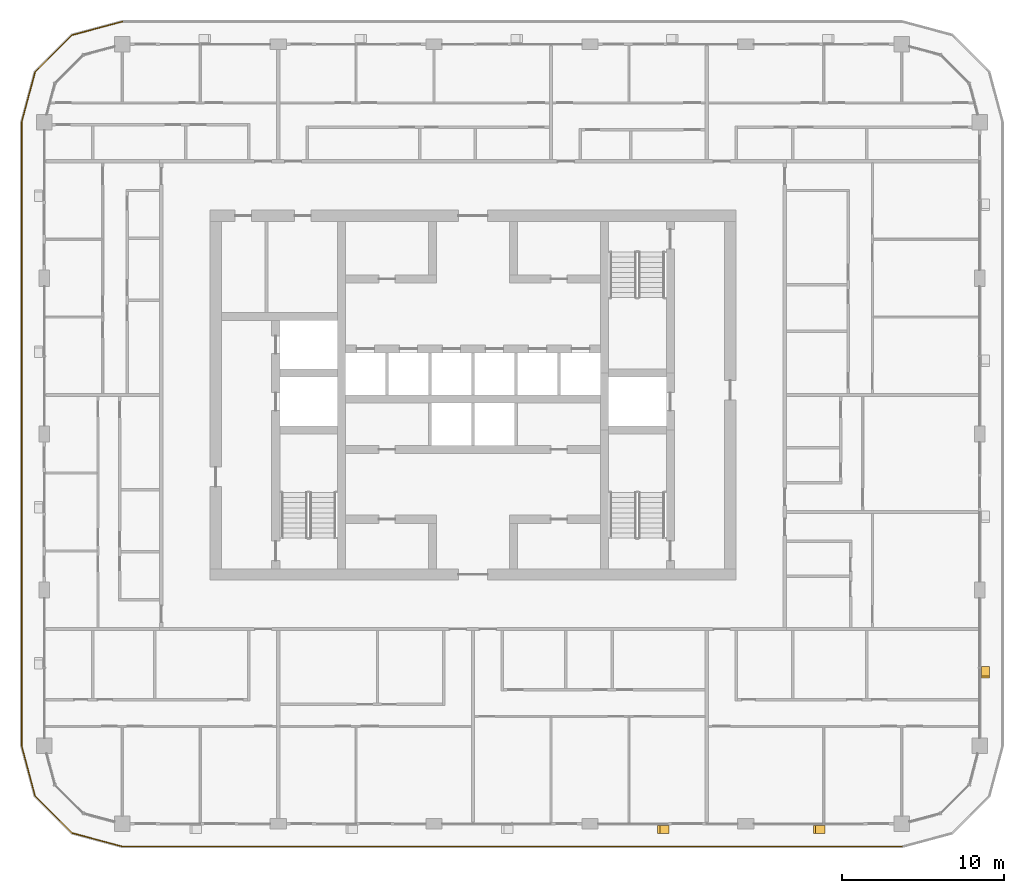
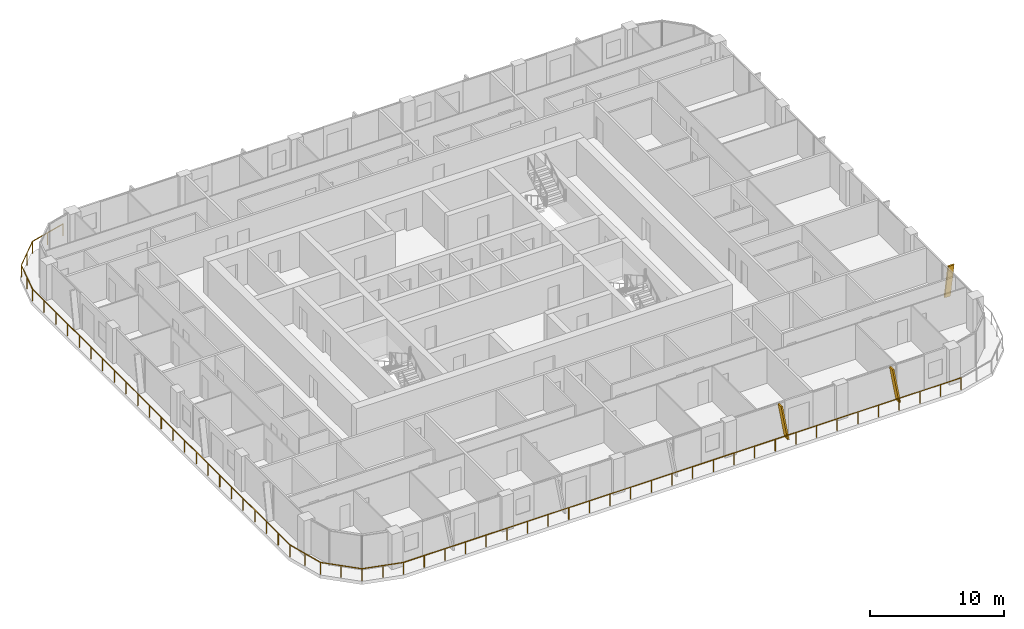
# One storey, part 18 of 21: 3 shading devices, 1 railing.
"""IFC4 building model written with IfcOpenShell, lengths in metres."""

from ifc_helpers import new_model, si_unit, direction, frame, origin, origin_2d, place, context, subcontext, project, spatial, polyline, circle, outline, extrude, material, type_object, element, save


model = new_model("IFC4")

# Units and contexts
model_context = context("Model", 3, precision=1e-05, world=origin(), true_north=direction((0.0, 1.0)))
body_context = subcontext(model_context, "Body", "Model", "MODEL_VIEW")
ifc_project = project(units=[si_unit("LENGTHUNIT", "METRE"), si_unit("AREAUNIT", "SQUARE_METRE"), si_unit("VOLUMEUNIT", "CUBIC_METRE"), si_unit("PLANEANGLEUNIT", "RADIAN"), si_unit("MASSUNIT", "GRAM", prefix="KILO")], contexts=[model_context])

# Site, building, storey
site_placement = place(None, origin())
site = spatial("IfcSite", under=ifc_project, at=site_placement, CompositionType="ELEMENT")
building_placement = place(site_placement, origin())
building = spatial("IfcBuilding", under=site, at=building_placement, Name="Madar Terraces", CompositionType="ELEMENT")
storey_placement = place(building_placement, frame((0.0, 0.0, 196.39990234375)))
storey = spatial("IfcBuildingStorey", under=building, at=storey_placement, Name="L51", CompositionType="ELEMENT", Elevation=196.39990234375)

# Railing
ifc_material_1 = material(Name="Glass, safety glazing, with stainless steel posts", Category="steel")
railing_type = type_object("IfcRailingType", Name="Balcony glass guard 1100", PredefinedType="GUARDRAIL", material=ifc_material_1)
railing_placement = place(storey_placement, frame((9.60009765625, 49.39990234375, 0.0)))
element("IfcRailing", 1, at=railing_placement, inside=storey, type_object=railing_type, Name="Balcony guard", PredefinedType="GUARDRAIL", context=body_context, shape_type="SweptSolid", body=[
    extrude(circle(Radius=0.02392578125, at=origin_2d()), frame((0.0, 0.0, 1.076171875), z_axis=(-0.9659337912, -0.258789317819, 0.0), x_axis=(0.258789317819, -0.9659337912, 0.0)), (0.0, 0.0, 1.0), 3.20947265625),
    extrude(circle(Radius=0.02392578125, at=origin_2d()), frame((-3.10009765625, -0.83056640625, 1.076171875), z_axis=(-0.707106781187, -0.707106781187, 0.0), x_axis=(0.707106781187, -0.707106781187, 0.0)), (0.0, 0.0, 1.0), 3.209228515625),
    extrude(circle(Radius=0.02392578125, at=origin_2d()), frame((-5.369384765625, -3.099853515625, 1.076171875), z_axis=(-0.258860290944, -0.965914773555, 0.0), x_axis=(0.965914773555, -0.258860290944, 0.0)), (0.0, 0.0, 1.0), 3.20947265625),
    extrude(circle(Radius=0.02392578125, at=origin_2d()), frame((-6.2001953125, -6.199951171875, 1.076171875), z_axis=(0.0, -1.0, 0.0), x_axis=(1.0, 0.0, 0.0)), (0.0, 0.0, 1.0), 38.39990234375),
    extrude(circle(Radius=0.02392578125, at=origin_2d()), frame((-6.2001953125, -44.599853515625, 1.076171875), z_axis=(0.258860290944, -0.965914773555, 0.0), x_axis=(0.965914773555, 0.258860290944, 0.0)), (0.0, 0.0, 1.0), 3.20947265625),
    extrude(circle(Radius=0.02392578125, at=origin_2d()), frame((-5.369384765625, -47.699951171875, 1.076171875), z_axis=(0.707106781187, -0.707106781187, 0.0), x_axis=(0.707106781187, 0.707106781187, 0.0)), (0.0, 0.0, 1.0), 3.209228515625),
    extrude(circle(Radius=0.02392578125, at=origin_2d()), frame((-3.10009765625, -49.96923828125, 1.076171875), z_axis=(0.9659337912, -0.258789317819, 0.0), x_axis=(0.258789317819, 0.9659337912, 0.0)), (0.0, 0.0, 1.0), 3.20947265625),
    extrude(circle(Radius=0.02392578125, at=origin_2d()), frame((0.0, -50.7998046875, 1.076171875), z_axis=(1.0, 0.0, 0.0), x_axis=(0.0, 1.0, 0.0)), (0.0, 0.0, 1.0), 48.0),
    extrude(circle(Radius=0.02099609375, at=origin_2d()), origin(), (0.0, 0.0, 1.0), 1.052001953125),
    extrude(circle(Radius=0.02099609375, at=origin_2d()), frame((-1.550048828125, -0.415283203125, 0.0)), (0.0, 0.0, 1.0), 1.052001953125),
    extrude(circle(Radius=0.02099609375, at=origin_2d()), frame((-3.10009765625, -0.83056640625, 0.0)), (0.0, 0.0, 1.0), 1.052001953125),
    extrude(circle(Radius=0.02099609375, at=origin_2d()), frame((-4.23486328125, -1.96533203125, 0.0)), (0.0, 0.0, 1.0), 1.052001953125),
    extrude(circle(Radius=0.02099609375, at=origin_2d()), frame((-5.369384765625, -3.099853515625, 0.0)), (0.0, 0.0, 1.0), 1.052001953125),
    extrude(circle(Radius=0.02099609375, at=origin_2d()), frame((-5.78466796875, -4.64990234375, 0.0)), (0.0, 0.0, 1.0), 1.052001953125),
    extrude(circle(Radius=0.02099609375, at=origin_2d()), frame((-6.2001953125, -6.199951171875, 0.0)), (0.0, 0.0, 1.0), 1.052001953125),
    extrude(circle(Radius=0.02099609375, at=origin_2d()), frame((-6.2001953125, -7.9453125, 0.0)), (0.0, 0.0, 1.0), 1.052001953125),
    extrude(circle(Radius=0.02099609375, at=origin_2d()), frame((-6.2001953125, -9.69091796875, 0.0)), (0.0, 0.0, 1.0), 1.052001953125),
    extrude(circle(Radius=0.02099609375, at=origin_2d()), frame((-6.2001953125, -11.436279296875, 0.0)), (0.0, 0.0, 1.0), 1.052001953125),
    extrude(circle(Radius=0.02099609375, at=origin_2d()), frame((-6.2001953125, -13.181640625, 0.0)), (0.0, 0.0, 1.0), 1.052001953125),
    extrude(circle(Radius=0.02099609375, at=origin_2d()), frame((-6.2001953125, -14.92724609375, 0.0)), (0.0, 0.0, 1.0), 1.052001953125),
    extrude(circle(Radius=0.02099609375, at=origin_2d()), frame((-6.2001953125, -16.672607421875, 0.0)), (0.0, 0.0, 1.0), 1.052001953125),
    extrude(circle(Radius=0.02099609375, at=origin_2d()), frame((-6.2001953125, -18.418212890625, 0.0)), (0.0, 0.0, 1.0), 1.052001953125),
    extrude(circle(Radius=0.02099609375, at=origin_2d()), frame((-6.2001953125, -20.16357421875, 0.0)), (0.0, 0.0, 1.0), 1.052001953125),
    extrude(circle(Radius=0.02099609375, at=origin_2d()), frame((-6.2001953125, -21.908935546875, 0.0)), (0.0, 0.0, 1.0), 1.052001953125),
    extrude(circle(Radius=0.02099609375, at=origin_2d()), frame((-6.2001953125, -23.654541015625, 0.0)), (0.0, 0.0, 1.0), 1.052001953125),
    extrude(circle(Radius=0.02099609375, at=origin_2d()), frame((-6.2001953125, -25.39990234375, 0.0)), (0.0, 0.0, 1.0), 1.052001953125),
    extrude(circle(Radius=0.02099609375, at=origin_2d()), frame((-6.2001953125, -27.145263671875, 0.0)), (0.0, 0.0, 1.0), 1.052001953125),
    extrude(circle(Radius=0.02099609375, at=origin_2d()), frame((-6.2001953125, -28.890869140625, 0.0)), (0.0, 0.0, 1.0), 1.052001953125),
    extrude(circle(Radius=0.02099609375, at=origin_2d()), frame((-6.2001953125, -30.63623046875, 0.0)), (0.0, 0.0, 1.0), 1.052001953125),
    extrude(circle(Radius=0.02099609375, at=origin_2d()), frame((-6.2001953125, -32.381591796875, 0.0)), (0.0, 0.0, 1.0), 1.052001953125),
    extrude(circle(Radius=0.02099609375, at=origin_2d()), frame((-6.2001953125, -34.127197265625, 0.0)), (0.0, 0.0, 1.0), 1.052001953125),
    extrude(circle(Radius=0.02099609375, at=origin_2d()), frame((-6.2001953125, -35.87255859375, 0.0)), (0.0, 0.0, 1.0), 1.052001953125),
    extrude(circle(Radius=0.02099609375, at=origin_2d()), frame((-6.2001953125, -37.6181640625, 0.0)), (0.0, 0.0, 1.0), 1.052001953125),
    extrude(circle(Radius=0.02099609375, at=origin_2d()), frame((-6.2001953125, -39.363525390625, 0.0)), (0.0, 0.0, 1.0), 1.052001953125),
    extrude(circle(Radius=0.02099609375, at=origin_2d()), frame((-6.2001953125, -41.10888671875, 0.0)), (0.0, 0.0, 1.0), 1.052001953125),
    extrude(circle(Radius=0.02099609375, at=origin_2d()), frame((-6.2001953125, -42.8544921875, 0.0)), (0.0, 0.0, 1.0), 1.052001953125),
    extrude(circle(Radius=0.02099609375, at=origin_2d()), frame((-6.2001953125, -44.599853515625, 0.0)), (0.0, 0.0, 1.0), 1.052001953125),
    extrude(circle(Radius=0.02099609375, at=origin_2d()), frame((-5.78466796875, -46.14990234375, 0.0)), (0.0, 0.0, 1.0), 1.052001953125),
    extrude(circle(Radius=0.02099609375, at=origin_2d()), frame((-5.369384765625, -47.699951171875, 0.0)), (0.0, 0.0, 1.0), 1.052001953125),
    extrude(circle(Radius=0.02099609375, at=origin_2d()), frame((-4.23486328125, -48.83447265625, 0.0)), (0.0, 0.0, 1.0), 1.052001953125),
    extrude(circle(Radius=0.02099609375, at=origin_2d()), frame((-3.10009765625, -49.96923828125, 0.0)), (0.0, 0.0, 1.0), 1.052001953125),
    extrude(circle(Radius=0.02099609375, at=origin_2d()), frame((-1.550048828125, -50.384521484375, 0.0)), (0.0, 0.0, 1.0), 1.052001953125),
    extrude(circle(Radius=0.02099609375, at=origin_2d()), frame((0.0, -50.7998046875, 0.0)), (0.0, 0.0, 1.0), 1.052001953125),
    extrude(circle(Radius=0.02099609375, at=origin_2d()), frame((1.77783203125, -50.7998046875, 0.0)), (0.0, 0.0, 1.0), 1.052001953125),
    extrude(circle(Radius=0.02099609375, at=origin_2d()), frame((3.5556640625, -50.7998046875, 0.0)), (0.0, 0.0, 1.0), 1.052001953125),
    extrude(circle(Radius=0.02099609375, at=origin_2d()), frame((5.333251953125, -50.7998046875, 0.0)), (0.0, 0.0, 1.0), 1.052001953125),
    extrude(circle(Radius=0.02099609375, at=origin_2d()), frame((7.111083984375, -50.7998046875, 0.0)), (0.0, 0.0, 1.0), 1.052001953125),
    extrude(circle(Radius=0.02099609375, at=origin_2d()), frame((8.888916015625, -50.7998046875, 0.0)), (0.0, 0.0, 1.0), 1.052001953125),
    extrude(circle(Radius=0.02099609375, at=origin_2d()), frame((10.666748046875, -50.7998046875, 0.0)), (0.0, 0.0, 1.0), 1.052001953125),
    extrude(circle(Radius=0.02099609375, at=origin_2d()), frame((12.4443359375, -50.7998046875, 0.0)), (0.0, 0.0, 1.0), 1.052001953125),
    extrude(circle(Radius=0.02099609375, at=origin_2d()), frame((14.22216796875, -50.7998046875, 0.0)), (0.0, 0.0, 1.0), 1.052001953125),
    extrude(circle(Radius=0.02099609375, at=origin_2d()), frame((16.0, -50.7998046875, 0.0)), (0.0, 0.0, 1.0), 1.052001953125),
    extrude(circle(Radius=0.02099609375, at=origin_2d()), frame((17.77783203125, -50.7998046875, 0.0)), (0.0, 0.0, 1.0), 1.052001953125),
    extrude(circle(Radius=0.02099609375, at=origin_2d()), frame((19.5556640625, -50.7998046875, 0.0)), (0.0, 0.0, 1.0), 1.052001953125),
    extrude(circle(Radius=0.02099609375, at=origin_2d()), frame((21.333251953125, -50.7998046875, 0.0)), (0.0, 0.0, 1.0), 1.052001953125),
    extrude(circle(Radius=0.02099609375, at=origin_2d()), frame((23.111083984375, -50.7998046875, 0.0)), (0.0, 0.0, 1.0), 1.052001953125),
    extrude(circle(Radius=0.02099609375, at=origin_2d()), frame((24.888916015625, -50.7998046875, 0.0)), (0.0, 0.0, 1.0), 1.052001953125),
    extrude(circle(Radius=0.02099609375, at=origin_2d()), frame((26.666748046875, -50.7998046875, 0.0)), (0.0, 0.0, 1.0), 1.052001953125),
    extrude(circle(Radius=0.02099609375, at=origin_2d()), frame((28.4443359375, -50.7998046875, 0.0)), (0.0, 0.0, 1.0), 1.052001953125),
    extrude(circle(Radius=0.02099609375, at=origin_2d()), frame((30.22216796875, -50.7998046875, 0.0)), (0.0, 0.0, 1.0), 1.052001953125),
    extrude(circle(Radius=0.02099609375, at=origin_2d()), frame((32.0, -50.7998046875, 0.0)), (0.0, 0.0, 1.0), 1.052001953125),
    extrude(circle(Radius=0.02099609375, at=origin_2d()), frame((33.77783203125, -50.7998046875, 0.0)), (0.0, 0.0, 1.0), 1.052001953125),
    extrude(circle(Radius=0.02099609375, at=origin_2d()), frame((35.5556640625, -50.7998046875, 0.0)), (0.0, 0.0, 1.0), 1.052001953125),
    extrude(circle(Radius=0.02099609375, at=origin_2d()), frame((37.333251953125, -50.7998046875, 0.0)), (0.0, 0.0, 1.0), 1.052001953125),
    extrude(circle(Radius=0.02099609375, at=origin_2d()), frame((39.111083984375, -50.7998046875, 0.0)), (0.0, 0.0, 1.0), 1.052001953125),
    extrude(circle(Radius=0.02099609375, at=origin_2d()), frame((40.888916015625, -50.7998046875, 0.0)), (0.0, 0.0, 1.0), 1.052001953125),
    extrude(circle(Radius=0.02099609375, at=origin_2d()), frame((42.666748046875, -50.7998046875, 0.0)), (0.0, 0.0, 1.0), 1.052001953125),
    extrude(circle(Radius=0.02099609375, at=origin_2d()), frame((44.4443359375, -50.7998046875, 0.0)), (0.0, 0.0, 1.0), 1.052001953125),
    extrude(circle(Radius=0.02099609375, at=origin_2d()), frame((46.22216796875, -50.7998046875, 0.0)), (0.0, 0.0, 1.0), 1.052001953125),
    extrude(circle(Radius=0.02099609375, at=origin_2d()), frame((48.0, -50.7998046875, 0.0)), (0.0, 0.0, 1.0), 1.052001953125),
])

# Shading devices
ifc_material_2 = material(Name="Aluminium, black anodised", Category="aluminium")
shading_device_type = type_object("IfcShadingDeviceType", Name="Facade fin blade 140 x 500", PredefinedType="USERDEFINED", material=ifc_material_2)
for number, where, z_axis, x_axis, name in (
    (2, (43.1298828125, -0.35009765625, 0.0), (0.0, 0.0, 1.0), (1.0, 0.0, 0.0), "FIN L51 S4"),
    (3, (52.72998046875, -0.35009765625, 0.0), (0.0, 0.0, 1.0), (1.0, 0.0, 0.0), "FIN L51 S5"),
):
    element("IfcShadingDevice", number, at=place(storey_placement, frame(where, z_axis=z_axis, x_axis=x_axis)), inside=storey, type_object=shading_device_type, Name=name, ObjectType="FIN", PredefinedType="USERDEFINED", context=body_context, shape_type="SweptSolid", body=[
        extrude(outline(polyline([(0.0, 0.0), (0.14013671875, 0.0), (-0.42431640625, 3.2001953125), (-0.564208984375, 3.2001953125), (0.0, 0.0)])), frame((0.0, 0.25, 0.0), z_axis=(0.0, -1.0, 0.0), x_axis=(1.0, 0.0, 0.0)), (0.0, 0.0, 1.0), 0.5),
    ])
shading_device_placement = place(storey_placement, frame((62.75, 9.530029296875, 0.0), z_axis=(0.0, 0.0, 1.0), x_axis=(0.0, 1.0, 0.0)))
element("IfcShadingDevice", 4, at=shading_device_placement, inside=storey, type_object=shading_device_type, Name="FIN L51 E1", ObjectType="FIN", PredefinedType="USERDEFINED", context=body_context, shape_type="SweptSolid", body=[
    extrude(outline(polyline([(0.0, 0.0), (0.139892578125, 0.0), (-0.42431640625, 3.2001953125), (-0.564208984375, 3.2001953125), (0.0, 0.0)])), frame((0.0, 0.25, 0.0), z_axis=(0.0, -1.0, 0.0), x_axis=(1.0, 0.0, 0.0)), (0.0, 0.0, 1.0), 0.5),
])

save(model, "model.ifc")
